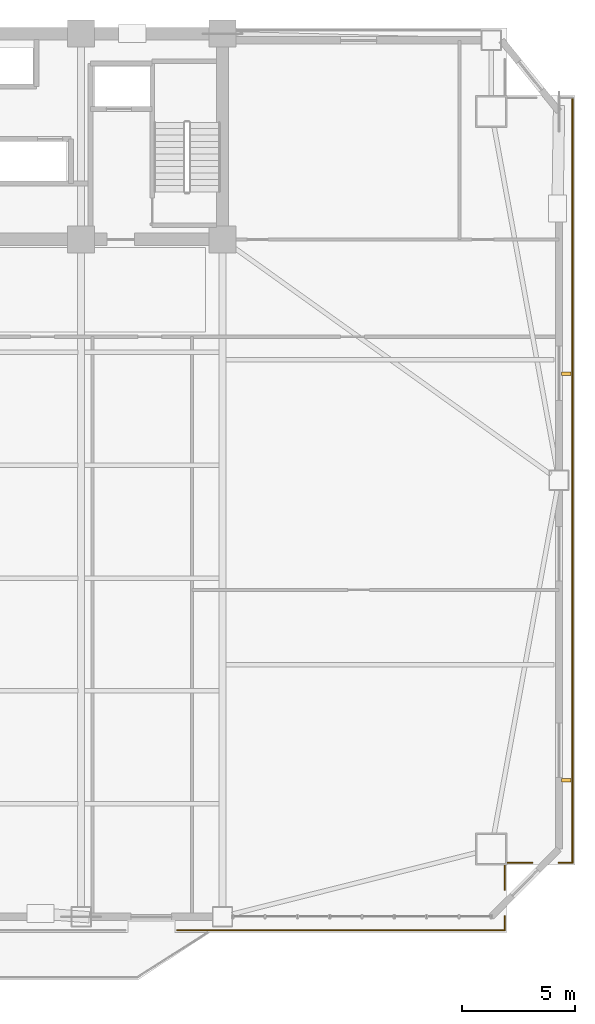
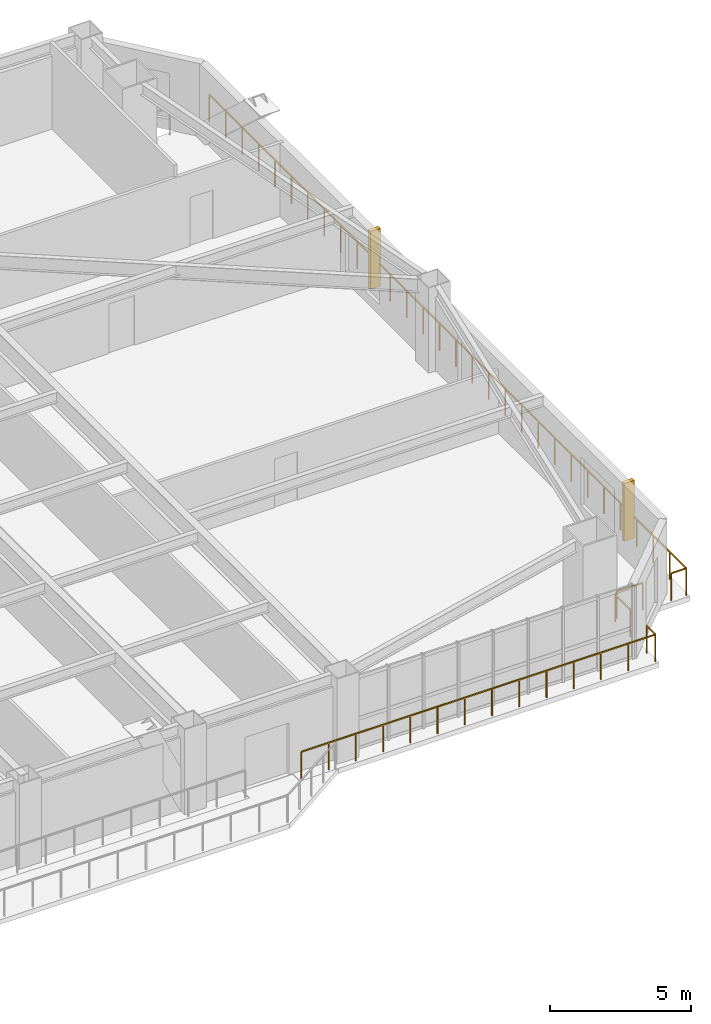
# One storey, part 13 of 15: 6 railings, 2 shading devices.
"""IFC4 building model written with IfcOpenShell, lengths in metres."""

from ifc_helpers import new_model, si_unit, direction, frame, origin, origin_2d, place, context, subcontext, project, spatial, rectangle, extrude, source, transform, mapped, material, type_object, element, save


model = new_model("IFC4")

# Units and contexts
model_context = context("Model", 3, precision=1e-05, world=origin(), true_north=direction((0.0, 1.0)))
body_context = subcontext(model_context, "Body", "Model", "MODEL_VIEW")
ifc_project = project(units=[si_unit("LENGTHUNIT", "METRE"), si_unit("AREAUNIT", "SQUARE_METRE"), si_unit("VOLUMEUNIT", "CUBIC_METRE"), si_unit("PLANEANGLEUNIT", "RADIAN"), si_unit("MASSUNIT", "GRAM", prefix="KILO")], contexts=[model_context])

# Site, building, storey
site_placement = place(None, origin())
site = spatial("IfcSite", under=ifc_project, at=site_placement, CompositionType="ELEMENT")
building_placement = place(site_placement, origin())
building = spatial("IfcBuilding", under=site, at=building_placement, Name="Giltprow Tower", CompositionType="ELEMENT")
storey_placement = place(building_placement, frame((0.0, 0.0, 123.10009765625)))
storey = spatial("IfcBuildingStorey", under=building, at=storey_placement, Name="L30", CompositionType="ELEMENT", Elevation=123.10009765625)

# Railings
ifc_material = material(Name="Anodized bronze", Category="metal")
railing_type = type_object("IfcRailingType", Name="RAIL-BALC-GUARD-1200", PredefinedType="BALUSTRADE", material=ifc_material)
railing_1_placement = place(storey_placement, frame((66.02099609375, 43.708984375, 0.0)))
element("IfcRailing", 1, at=railing_1_placement, inside=storey, type_object=railing_type, Name="L30 Corner Apron Edge Balustrade 14", PredefinedType="BALUSTRADE", context=body_context, shape_type="SweptSolid", body=[
    extrude(rectangle(XDim=0.048095703125, YDim=0.048095703125, at=origin_2d()), frame((0.0, 0.0, 1.17578125), z_axis=(0.0, -1.0, 0.0), x_axis=(1.0, 0.0, 0.0)), (0.0, 0.0, 1.0), 33.800048828125),
    extrude(rectangle(XDim=0.0419921875, YDim=0.0419921875, at=origin_2d()), origin(), (0.0, 0.0, 1.0), 1.15185546875),
    extrude(rectangle(XDim=0.0419921875, YDim=0.0419921875, at=origin_2d()), frame((0.0, -1.16552734375, 0.0)), (0.0, 0.0, 1.0), 1.15185546875),
    extrude(rectangle(XDim=0.0419921875, YDim=0.0419921875, at=origin_2d()), frame((0.0, -2.3310546875, 0.0)), (0.0, 0.0, 1.0), 1.15185546875),
    extrude(rectangle(XDim=0.0419921875, YDim=0.0419921875, at=origin_2d()), frame((0.0, -3.49658203125, 0.0)), (0.0, 0.0, 1.0), 1.15185546875),
    extrude(rectangle(XDim=0.0419921875, YDim=0.0419921875, at=origin_2d()), frame((0.0, -4.662109375, 0.0)), (0.0, 0.0, 1.0), 1.15185546875),
    extrude(rectangle(XDim=0.0419921875, YDim=0.0419921875, at=origin_2d()), frame((0.0, -5.82763671875, 0.0)), (0.0, 0.0, 1.0), 1.15185546875),
    extrude(rectangle(XDim=0.0419921875, YDim=0.0419921875, at=origin_2d()), frame((0.0, -6.9931640625, 0.0)), (0.0, 0.0, 1.0), 1.15185546875),
    extrude(rectangle(XDim=0.0419921875, YDim=0.0419921875, at=origin_2d()), frame((0.0, -8.15869140625, 0.0)), (0.0, 0.0, 1.0), 1.15185546875),
    extrude(rectangle(XDim=0.0419921875, YDim=0.0419921875, at=origin_2d()), frame((0.0, -9.32421875, 0.0)), (0.0, 0.0, 1.0), 1.15185546875),
    extrude(rectangle(XDim=0.0419921875, YDim=0.0419921875, at=origin_2d()), frame((0.0, -10.48974609375, 0.0)), (0.0, 0.0, 1.0), 1.15185546875),
    extrude(rectangle(XDim=0.0419921875, YDim=0.0419921875, at=origin_2d()), frame((0.0, -11.6552734375, 0.0)), (0.0, 0.0, 1.0), 1.15185546875),
    extrude(rectangle(XDim=0.0419921875, YDim=0.0419921875, at=origin_2d()), frame((0.0, -12.82080078125, 0.0)), (0.0, 0.0, 1.0), 1.15185546875),
    extrude(rectangle(XDim=0.0419921875, YDim=0.0419921875, at=origin_2d()), frame((0.0, -13.986328125, 0.0)), (0.0, 0.0, 1.0), 1.15185546875),
    extrude(rectangle(XDim=0.0419921875, YDim=0.0419921875, at=origin_2d()), frame((0.0, -15.15185546875, 0.0)), (0.0, 0.0, 1.0), 1.15185546875),
    extrude(rectangle(XDim=0.0419921875, YDim=0.0419921875, at=origin_2d()), frame((0.0, -16.3173828125, 0.0)), (0.0, 0.0, 1.0), 1.15185546875),
    extrude(rectangle(XDim=0.0419921875, YDim=0.0419921875, at=origin_2d()), frame((0.0, -17.482666015625, 0.0)), (0.0, 0.0, 1.0), 1.15185546875),
    extrude(rectangle(XDim=0.0419921875, YDim=0.0419921875, at=origin_2d()), frame((0.0, -18.648193359375, 0.0)), (0.0, 0.0, 1.0), 1.15185546875),
    extrude(rectangle(XDim=0.0419921875, YDim=0.0419921875, at=origin_2d()), frame((0.0, -19.813720703125, 0.0)), (0.0, 0.0, 1.0), 1.15185546875),
    extrude(rectangle(XDim=0.0419921875, YDim=0.0419921875, at=origin_2d()), frame((0.0, -20.979248046875, 0.0)), (0.0, 0.0, 1.0), 1.15185546875),
    extrude(rectangle(XDim=0.0419921875, YDim=0.0419921875, at=origin_2d()), frame((0.0, -22.144775390625, 0.0)), (0.0, 0.0, 1.0), 1.15185546875),
    extrude(rectangle(XDim=0.0419921875, YDim=0.0419921875, at=origin_2d()), frame((0.0, -23.310302734375, 0.0)), (0.0, 0.0, 1.0), 1.15185546875),
    extrude(rectangle(XDim=0.0419921875, YDim=0.0419921875, at=origin_2d()), frame((0.0, -24.475830078125, 0.0)), (0.0, 0.0, 1.0), 1.15185546875),
    extrude(rectangle(XDim=0.0419921875, YDim=0.0419921875, at=origin_2d()), frame((0.0, -25.641357421875, 0.0)), (0.0, 0.0, 1.0), 1.15185546875),
    extrude(rectangle(XDim=0.0419921875, YDim=0.0419921875, at=origin_2d()), frame((0.0, -26.806884765625, 0.0)), (0.0, 0.0, 1.0), 1.15185546875),
    extrude(rectangle(XDim=0.0419921875, YDim=0.0419921875, at=origin_2d()), frame((0.0, -27.972412109375, 0.0)), (0.0, 0.0, 1.0), 1.15185546875),
    extrude(rectangle(XDim=0.0419921875, YDim=0.0419921875, at=origin_2d()), frame((0.0, -29.137939453125, 0.0)), (0.0, 0.0, 1.0), 1.15185546875),
    extrude(rectangle(XDim=0.0419921875, YDim=0.0419921875, at=origin_2d()), frame((0.0, -30.303466796875, 0.0)), (0.0, 0.0, 1.0), 1.15185546875),
    extrude(rectangle(XDim=0.0419921875, YDim=0.0419921875, at=origin_2d()), frame((0.0, -31.468994140625, 0.0)), (0.0, 0.0, 1.0), 1.15185546875),
    extrude(rectangle(XDim=0.0419921875, YDim=0.0419921875, at=origin_2d()), frame((0.0, -32.634521484375, 0.0)), (0.0, 0.0, 1.0), 1.15185546875),
    extrude(rectangle(XDim=0.0419921875, YDim=0.0419921875, at=origin_2d()), frame((0.0, -33.800048828125, 0.0)), (0.0, 0.0, 1.0), 1.15185546875),
])
railing_2_placement = place(storey_placement, frame((66.02099609375, 9.908935546875, 0.0)))
element("IfcRailing", 2, at=railing_2_placement, inside=storey, type_object=railing_type, Name="L30 Corner Apron Edge Balustrade 15", PredefinedType="BALUSTRADE", context=body_context, shape_type="SweptSolid", body=[
    extrude(rectangle(XDim=0.048095703125, YDim=0.048095703125, at=origin_2d()), frame((0.0, 0.0, 1.17578125), z_axis=(-1.0, 0.0, 0.0), x_axis=(0.0, -1.0, 0.0)), (0.0, 0.0, 1.0), 0.6201171875),
    extrude(rectangle(XDim=0.0419921875, YDim=0.0419921875, at=origin_2d()), origin(), (0.0, 0.0, 1.0), 1.15185546875),
    extrude(rectangle(XDim=0.0419921875, YDim=0.0419921875, at=origin_2d()), frame((-0.6201171875, 0.0, 0.0)), (0.0, 0.0, 1.0), 1.15185546875),
])
railing_3_placement = place(storey_placement, frame((64.240966796875, 9.908935546875, 0.0)))
element("IfcRailing", 3, at=railing_3_placement, inside=storey, type_object=railing_type, Name="L30 Corner Apron Edge Balustrade 16", PredefinedType="BALUSTRADE", context=body_context, shape_type="SweptSolid", body=[
    extrude(rectangle(XDim=0.048095703125, YDim=0.048095703125, at=origin_2d()), frame((0.0, 0.0, 1.17578125), z_axis=(-1.0, 0.0, 0.0), x_axis=(0.0, -1.0, 0.0)), (0.0, 0.0, 1.0), 1.075927734375),
    extrude(rectangle(XDim=0.0419921875, YDim=0.0419921875, at=origin_2d()), origin(), (0.0, 0.0, 1.0), 1.15185546875),
    extrude(rectangle(XDim=0.0419921875, YDim=0.0419921875, at=origin_2d()), frame((-1.075927734375, 0.0, 0.0)), (0.0, 0.0, 1.0), 1.15185546875),
])
railing_4_placement = place(storey_placement, frame((63.030029296875, 9.77392578125, 0.0)))
element("IfcRailing", 4, at=railing_4_placement, inside=storey, type_object=railing_type, Name="L30 Corner Apron Edge Balustrade 17", PredefinedType="BALUSTRADE", context=body_context, shape_type="SweptSolid", body=[
    extrude(rectangle(XDim=0.048095703125, YDim=0.048095703125, at=origin_2d()), frame((0.0, 0.0, 1.17578125), z_axis=(0.0, -1.0, 0.0), x_axis=(1.0, 0.0, 0.0)), (0.0, 0.0, 1.0), 1.075927734375),
    extrude(rectangle(XDim=0.0419921875, YDim=0.0419921875, at=origin_2d()), origin(), (0.0, 0.0, 1.0), 1.15185546875),
    extrude(rectangle(XDim=0.0419921875, YDim=0.0419921875, at=origin_2d()), frame((0.0, -1.075927734375, 0.0)), (0.0, 0.0, 1.0), 1.15185546875),
])
railing_5_placement = place(storey_placement, frame((63.030029296875, 7.5380859375, 0.0)))
element("IfcRailing", 5, at=railing_5_placement, inside=storey, type_object=railing_type, Name="L30 Corner Apron Edge Balustrade 18", PredefinedType="BALUSTRADE", context=body_context, shape_type="SweptSolid", body=[
    extrude(rectangle(XDim=0.048095703125, YDim=0.048095703125, at=origin_2d()), frame((0.0, 0.0, 1.17578125), z_axis=(0.0, -1.0, 0.0), x_axis=(1.0, 0.0, 0.0)), (0.0, 0.0, 1.0), 0.6201171875),
    extrude(rectangle(XDim=0.0419921875, YDim=0.0419921875, at=origin_2d()), origin(), (0.0, 0.0, 1.0), 1.15185546875),
    extrude(rectangle(XDim=0.0419921875, YDim=0.0419921875, at=origin_2d()), frame((0.0, -0.6201171875, 0.0)), (0.0, 0.0, 1.0), 1.15185546875),
])
railing_6_placement = place(storey_placement, frame((63.030029296875, 6.91796875, 0.0)))
element("IfcRailing", 6, at=railing_6_placement, inside=storey, type_object=railing_type, Name="L30 Corner Apron Edge Balustrade 19", PredefinedType="BALUSTRADE", context=body_context, shape_type="SweptSolid", body=[
    extrude(rectangle(XDim=0.048095703125, YDim=0.048095703125, at=origin_2d()), frame((0.0, 0.0, 1.17578125), z_axis=(-1.0, 0.0, 0.0), x_axis=(0.0, -1.0, 0.0)), (0.0, 0.0, 1.0), 14.47998046875),
    extrude(rectangle(XDim=0.0419921875, YDim=0.0419921875, at=origin_2d()), origin(), (0.0, 0.0, 1.0), 1.15185546875),
    extrude(rectangle(XDim=0.0419921875, YDim=0.0419921875, at=origin_2d()), frame((-1.11376953125, 0.0, 0.0)), (0.0, 0.0, 1.0), 1.15185546875),
    extrude(rectangle(XDim=0.0419921875, YDim=0.0419921875, at=origin_2d()), frame((-2.227783203125, 0.0, 0.0)), (0.0, 0.0, 1.0), 1.15185546875),
    extrude(rectangle(XDim=0.0419921875, YDim=0.0419921875, at=origin_2d()), frame((-3.341552734375, 0.0, 0.0)), (0.0, 0.0, 1.0), 1.15185546875),
    extrude(rectangle(XDim=0.0419921875, YDim=0.0419921875, at=origin_2d()), frame((-4.455322265625, 0.0, 0.0)), (0.0, 0.0, 1.0), 1.15185546875),
    extrude(rectangle(XDim=0.0419921875, YDim=0.0419921875, at=origin_2d()), frame((-5.5693359375, 0.0, 0.0)), (0.0, 0.0, 1.0), 1.15185546875),
    extrude(rectangle(XDim=0.0419921875, YDim=0.0419921875, at=origin_2d()), frame((-6.68310546875, 0.0, 0.0)), (0.0, 0.0, 1.0), 1.15185546875),
    extrude(rectangle(XDim=0.0419921875, YDim=0.0419921875, at=origin_2d()), frame((-7.796875, 0.0, 0.0)), (0.0, 0.0, 1.0), 1.15185546875),
    extrude(rectangle(XDim=0.0419921875, YDim=0.0419921875, at=origin_2d()), frame((-8.91064453125, 0.0, 0.0)), (0.0, 0.0, 1.0), 1.15185546875),
    extrude(rectangle(XDim=0.0419921875, YDim=0.0419921875, at=origin_2d()), frame((-10.024658203125, 0.0, 0.0)), (0.0, 0.0, 1.0), 1.15185546875),
    extrude(rectangle(XDim=0.0419921875, YDim=0.0419921875, at=origin_2d()), frame((-11.138427734375, 0.0, 0.0)), (0.0, 0.0, 1.0), 1.15185546875),
    extrude(rectangle(XDim=0.0419921875, YDim=0.0419921875, at=origin_2d()), frame((-12.252197265625, 0.0, 0.0)), (0.0, 0.0, 1.0), 1.15185546875),
    extrude(rectangle(XDim=0.0419921875, YDim=0.0419921875, at=origin_2d()), frame((-13.3662109375, 0.0, 0.0)), (0.0, 0.0, 1.0), 1.15185546875),
    extrude(rectangle(XDim=0.0419921875, YDim=0.0419921875, at=origin_2d()), frame((-14.47998046875, 0.0, 0.0)), (0.0, 0.0, 1.0), 1.15185546875),
])

# Shading devices
shading_device_type = type_object("IfcShadingDeviceType", Name="SHD-FIN-420", PredefinedType="USERDEFINED", material=ifc_material)
shared_shape = source(origin(), body_context, "Body", "SweptSolid", [
    extrude(rectangle(XDim=0.419921875, YDim=0.159912109375, at=origin_2d()), origin(), (0.0, 0.0, 1.0), 2.5),
])
for number, where, z_axis, x_axis, name in (
    (7, (65.740966796875, 13.550048828125, 0.349853515625), (0.0, 0.0, 1.0), (1.0, 0.0, 0.0), "L30 E Bronze Vertical Fin 1-1"),
    (8, (65.740966796875, 31.52197265625, 0.349853515625), (0.0, 0.0, 1.0), (1.0, 0.0, 0.0), "L30 E Bronze Vertical Fin 2-1"),
):
    element("IfcShadingDevice", number, at=place(storey_placement, frame(where, z_axis=z_axis, x_axis=x_axis)), inside=storey, type_object=shading_device_type, Name=name, ObjectType="FIN", PredefinedType="USERDEFINED", context=body_context, shape_type="MappedRepresentation", body=[
        mapped(shared_shape, transform((0.0, 0.0, 0.0), x_axis=(1.0, 0.0, 0.0), y_axis=(0.0, 1.0, 0.0), z_axis=(0.0, 0.0, 1.0), scale=1.0)),
    ])

save(model, "model.ifc")
